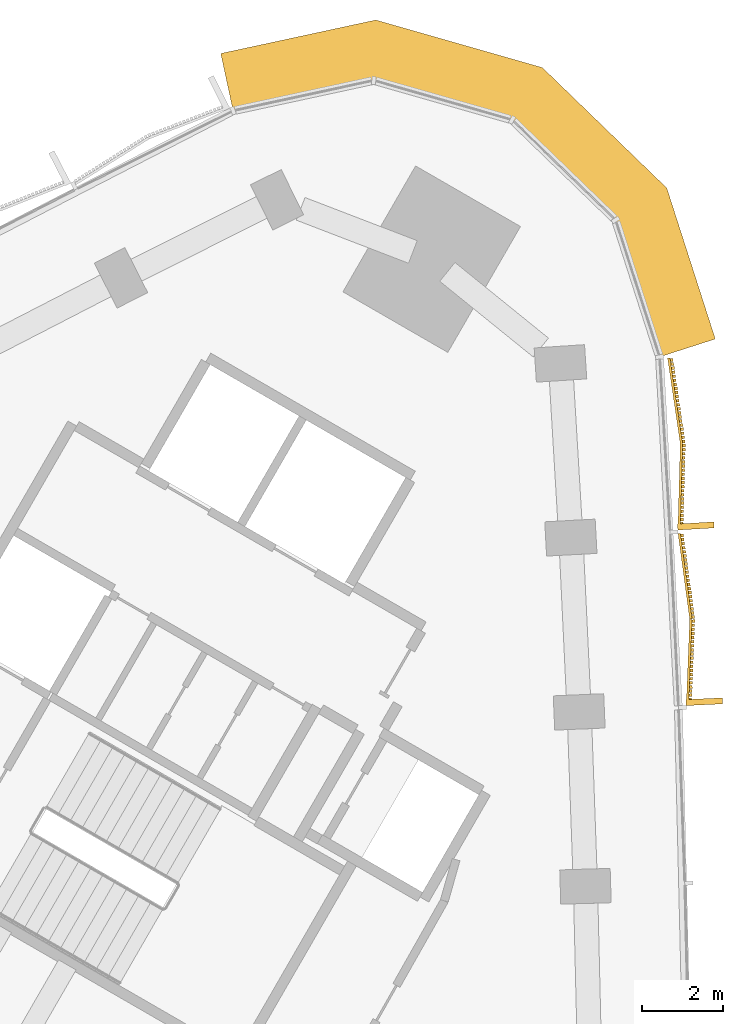
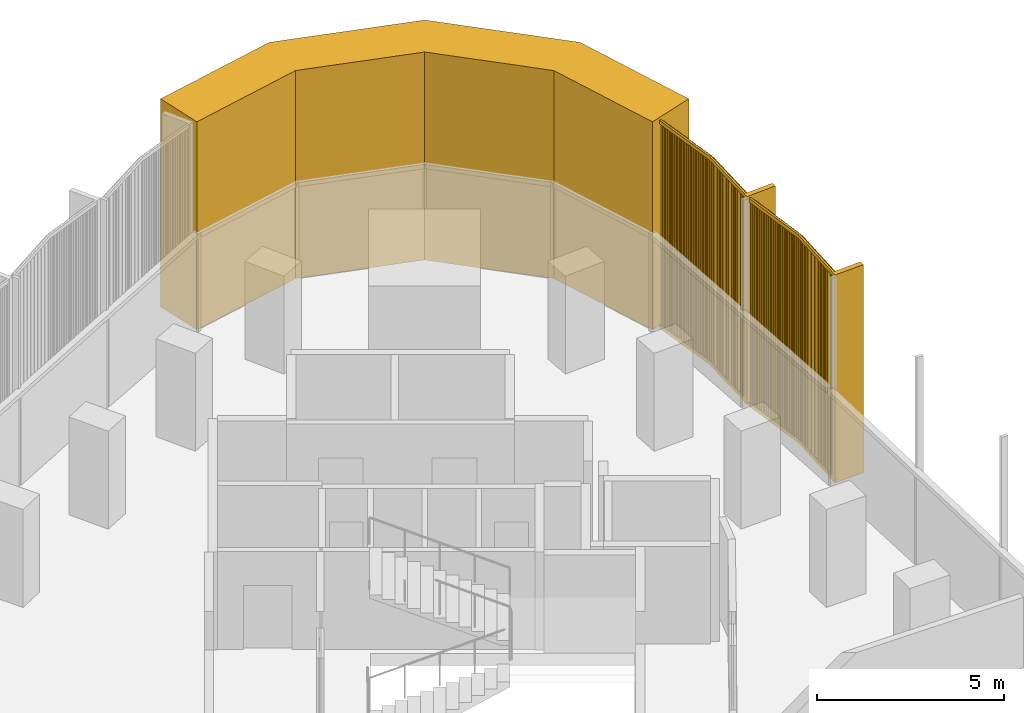
# One storey, part 14 of 14: 3 coverings.
"""IFC4 building model written with IfcOpenShell, lengths in metres."""

from ifc_helpers import new_model, si_unit, direction, frame, frame_2d, origin, place, context, subcontext, project, spatial, polyline, rectangle, outline, extrude, source, transform, mapped, material, layer, layer_set, type_object, element, save


model = new_model("IFC4")

# Units and contexts
model_context = context("Model", 3, precision=1e-05, world=origin(), true_north=direction((0.0, 1.0)))
body_context = subcontext(model_context, "Body", "Model", "MODEL_VIEW")
ifc_project = project(units=[si_unit("LENGTHUNIT", "METRE"), si_unit("AREAUNIT", "SQUARE_METRE"), si_unit("VOLUMEUNIT", "CUBIC_METRE"), si_unit("PLANEANGLEUNIT", "RADIAN"), si_unit("MASSUNIT", "GRAM", prefix="KILO")], contexts=[model_context])

# Site, building, storey
site_placement = place(None, origin())
site = spatial("IfcSite", under=ifc_project, at=site_placement, CompositionType="ELEMENT")
building_placement = place(site_placement, origin())
building = spatial("IfcBuilding", under=site, at=building_placement, Name="Tamra Quay Hotel Tower", CompositionType="ELEMENT")
storey_placement = place(building_placement, frame((0.0, 0.0, 139.60009765625)))
storey = spatial("IfcBuildingStorey", under=building, at=storey_placement, Name="L34", CompositionType="ELEMENT", Elevation=139.60009765625)

# Coverings
ifc_material_1 = material(Name="Precast concrete M60 terracotta-coloured", Category="masonry")
ifc_layer = layer(ifc_material_1, 1.449951171875)
ifc_layer_set = layer_set([ifc_layer], Name="CORNER PIER PANEL")
covering_type_1 = type_object("IfcCoveringType", Name="CORNER PIER PANEL", PredefinedType="CLADDING", material=ifc_layer_set)
covering_placement = place(storey_placement, origin())
element("IfcCovering", 1, at=covering_placement, inside=storey, type_object=covering_type_1, Name="Corner pier L34.east", PredefinedType="CLADDING", context=body_context, shape_type="SweptSolid", body=[
    extrude(outline(polyline([(20.852294921875, 23.918212890625), (22.232666015625, 24.36181640625), (21.031005859375, 28.1015625), (17.947509765625, 31.085693359375), (13.821044921875, 32.26416015625), (9.981689453125, 31.43505859375), (10.28759765625, 30.017578125), (13.772216796875, 30.770263671875), (17.199951171875, 29.791259765625), (19.76171875, 27.31201171875), (20.852294921875, 23.918212890625)])), origin(), (0.0, 0.0, 1.0), 6.7998046875),
])
ifc_material_2 = material(Name="Terracotta baguette extruded", Category="masonry")
covering_type_2 = type_object("IfcCoveringType", Name="BAGUETTE SCREEN E-V H6800", PredefinedType="USERDEFINED", material=ifc_material_2)
shared_shape = source(origin(), body_context, "Body", "SweptSolid", [
    extrude(rectangle(XDim=2.140625, YDim=0.06005859375, at=frame_2d((1.0703125, 0.030029296875))), frame((-2.1376953125, -0.057861328125, -0.1201171875), z_axis=(0.0, 0.0, 1.0), x_axis=(0.996194698092, -0.087155742748, 0.0)), (0.0, 0.0, 1.0), 0.1201171875),
    extrude(rectangle(XDim=2.140625, YDim=0.06005859375, at=frame_2d((1.0703125, 0.030029296875))), frame((-2.1376953125, -0.057861328125, -6.800048828125), z_axis=(0.0, 0.0, 1.0), x_axis=(0.996194698092, -0.087155742748, 0.0)), (0.0, 0.0, 1.0), 0.1201171875),
    extrude(rectangle(XDim=0.070068359375, YDim=0.10009765625, at=frame_2d((0.03515625, 0.050048828125))), frame((-2.11669921875, -0.13232421875, -6.739990234375)), (0.0, 0.0, 1.0), 6.679931640625),
    extrude(rectangle(XDim=0.070068359375, YDim=0.10009765625, at=frame_2d((0.03515625, 0.050048828125))), frame((-2.01513671875, -0.141357421875, -6.739990234375)), (0.0, 0.0, 1.0), 6.679931640625),
    extrude(rectangle(XDim=0.070068359375, YDim=0.10009765625, at=frame_2d((0.03515625, 0.050048828125))), frame((-1.91357421875, -0.150146484375, -6.739990234375)), (0.0, 0.0, 1.0), 6.679931640625),
    extrude(rectangle(XDim=0.070068359375, YDim=0.10009765625, at=frame_2d((0.03515625, 0.050048828125))), frame((-1.81201171875, -0.1591796875, -6.739990234375)), (0.0, 0.0, 1.0), 6.679931640625),
    extrude(rectangle(XDim=0.070068359375, YDim=0.10009765625, at=frame_2d((0.03515625, 0.050048828125))), frame((-1.71044921875, -0.16796875, -6.739990234375)), (0.0, 0.0, 1.0), 6.679931640625),
    extrude(rectangle(XDim=0.070068359375, YDim=0.10009765625, at=frame_2d((0.03515625, 0.050048828125))), frame((-1.60888671875, -0.1767578125, -6.739990234375)), (0.0, 0.0, 1.0), 6.679931640625),
    extrude(rectangle(XDim=0.070068359375, YDim=0.10009765625, at=frame_2d((0.03515625, 0.050048828125))), frame((-1.50732421875, -0.185791015625, -6.739990234375)), (0.0, 0.0, 1.0), 6.679931640625),
    extrude(rectangle(XDim=0.070068359375, YDim=0.10009765625, at=frame_2d((0.03515625, 0.050048828125))), frame((-1.406005859375, -0.194580078125, -6.739990234375)), (0.0, 0.0, 1.0), 6.679931640625),
    extrude(rectangle(XDim=0.070068359375, YDim=0.10009765625, at=frame_2d((0.03515625, 0.050048828125))), frame((-1.304443359375, -0.20361328125, -6.739990234375)), (0.0, 0.0, 1.0), 6.679931640625),
    extrude(rectangle(XDim=0.070068359375, YDim=0.10009765625, at=frame_2d((0.03515625, 0.050048828125))), frame((-1.202880859375, -0.21240234375, -6.739990234375)), (0.0, 0.0, 1.0), 6.679931640625),
    extrude(rectangle(XDim=0.070068359375, YDim=0.10009765625, at=frame_2d((0.03515625, 0.050048828125))), frame((-1.101318359375, -0.22119140625, -6.739990234375)), (0.0, 0.0, 1.0), 6.679931640625),
    extrude(rectangle(XDim=0.070068359375, YDim=0.10009765625, at=frame_2d((0.03515625, 0.050048828125))), frame((-0.999755859375, -0.230224609375, -6.739990234375)), (0.0, 0.0, 1.0), 6.679931640625),
    extrude(rectangle(XDim=0.070068359375, YDim=0.10009765625, at=frame_2d((0.03515625, 0.050048828125))), frame((-0.898193359375, -0.239013671875, -6.739990234375)), (0.0, 0.0, 1.0), 6.679931640625),
    extrude(rectangle(XDim=0.070068359375, YDim=0.10009765625, at=frame_2d((0.03515625, 0.050048828125))), frame((-0.796630859375, -0.248046875, -6.739990234375)), (0.0, 0.0, 1.0), 6.679931640625),
    extrude(rectangle(XDim=0.070068359375, YDim=0.10009765625, at=frame_2d((0.03515625, 0.050048828125))), frame((-0.695068359375, -0.2568359375, -6.739990234375)), (0.0, 0.0, 1.0), 6.679931640625),
    extrude(rectangle(XDim=0.070068359375, YDim=0.10009765625, at=frame_2d((0.03515625, 0.050048828125))), frame((-0.593505859375, -0.265625, -6.739990234375)), (0.0, 0.0, 1.0), 6.679931640625),
    extrude(rectangle(XDim=0.070068359375, YDim=0.10009765625, at=frame_2d((0.03515625, 0.050048828125))), frame((-0.491943359375, -0.274658203125, -6.739990234375)), (0.0, 0.0, 1.0), 6.679931640625),
    extrude(rectangle(XDim=0.070068359375, YDim=0.10009765625, at=frame_2d((0.03515625, 0.050048828125))), frame((-0.390380859375, -0.283447265625, -6.739990234375)), (0.0, 0.0, 1.0), 6.679931640625),
    extrude(rectangle(XDim=0.070068359375, YDim=0.10009765625, at=frame_2d((0.03515625, 0.050048828125))), frame((-0.288818359375, -0.29248046875, -6.739990234375)), (0.0, 0.0, 1.0), 6.679931640625),
    extrude(rectangle(XDim=0.070068359375, YDim=0.10009765625, at=frame_2d((0.03515625, 0.050048828125))), frame((-0.187255859375, -0.30126953125, -6.739990234375)), (0.0, 0.0, 1.0), 6.679931640625),
    extrude(rectangle(XDim=0.070068359375, YDim=0.10009765625, at=frame_2d((0.03515625, 0.050048828125))), frame((-0.085693359375, -0.31005859375, -6.739990234375)), (0.0, 0.0, 1.0), 6.679931640625),
    extrude(rectangle(XDim=2.140625, YDim=0.06005859375, at=frame_2d((1.0703125, 0.030029296875))), frame((0.005126953125, -0.244384765625, -0.1201171875), z_axis=(0.0, 0.0, 1.0), x_axis=(0.996194698092, 0.087155742748, 0.0)), (0.0, 0.0, 1.0), 0.1201171875),
    extrude(rectangle(XDim=2.140625, YDim=0.06005859375, at=frame_2d((1.0703125, 0.030029296875))), frame((0.005126953125, -0.244384765625, -6.800048828125), z_axis=(0.0, 0.0, 1.0), x_axis=(0.996194698092, 0.087155742748, 0.0)), (0.0, 0.0, 1.0), 0.1201171875),
    extrude(rectangle(XDim=0.070068359375, YDim=0.10009765625, at=frame_2d((0.03515625, 0.050048828125))), frame((0.015869140625, -0.31005859375, -6.739990234375)), (0.0, 0.0, 1.0), 6.679931640625),
    extrude(rectangle(XDim=0.070068359375, YDim=0.10009765625, at=frame_2d((0.03515625, 0.050048828125))), frame((0.117431640625, -0.30126953125, -6.739990234375)), (0.0, 0.0, 1.0), 6.679931640625),
    extrude(rectangle(XDim=0.070068359375, YDim=0.10009765625, at=frame_2d((0.03515625, 0.050048828125))), frame((0.21875, -0.29248046875, -6.739990234375)), (0.0, 0.0, 1.0), 6.679931640625),
    extrude(rectangle(XDim=0.070068359375, YDim=0.10009765625, at=frame_2d((0.03515625, 0.050048828125))), frame((0.3203125, -0.283447265625, -6.739990234375)), (0.0, 0.0, 1.0), 6.679931640625),
    extrude(rectangle(XDim=0.070068359375, YDim=0.10009765625, at=frame_2d((0.03515625, 0.050048828125))), frame((0.421875, -0.274658203125, -6.739990234375)), (0.0, 0.0, 1.0), 6.679931640625),
    extrude(rectangle(XDim=0.070068359375, YDim=0.10009765625, at=frame_2d((0.03515625, 0.050048828125))), frame((0.5234375, -0.265625, -6.739990234375)), (0.0, 0.0, 1.0), 6.679931640625),
    extrude(rectangle(XDim=0.070068359375, YDim=0.10009765625, at=frame_2d((0.03515625, 0.050048828125))), frame((0.625, -0.2568359375, -6.739990234375)), (0.0, 0.0, 1.0), 6.679931640625),
    extrude(rectangle(XDim=0.070068359375, YDim=0.10009765625, at=frame_2d((0.03515625, 0.050048828125))), frame((0.7265625, -0.248046875, -6.739990234375)), (0.0, 0.0, 1.0), 6.679931640625),
    extrude(rectangle(XDim=0.070068359375, YDim=0.10009765625, at=frame_2d((0.03515625, 0.050048828125))), frame((0.828125, -0.239013671875, -6.739990234375)), (0.0, 0.0, 1.0), 6.679931640625),
    extrude(rectangle(XDim=0.070068359375, YDim=0.10009765625, at=frame_2d((0.03515625, 0.050048828125))), frame((0.9296875, -0.230224609375, -6.739990234375)), (0.0, 0.0, 1.0), 6.679931640625),
    extrude(rectangle(XDim=0.070068359375, YDim=0.10009765625, at=frame_2d((0.03515625, 0.050048828125))), frame((1.03125, -0.22119140625, -6.739990234375)), (0.0, 0.0, 1.0), 6.679931640625),
    extrude(rectangle(XDim=0.070068359375, YDim=0.10009765625, at=frame_2d((0.03515625, 0.050048828125))), frame((1.1328125, -0.21240234375, -6.739990234375)), (0.0, 0.0, 1.0), 6.679931640625),
    extrude(rectangle(XDim=0.070068359375, YDim=0.10009765625, at=frame_2d((0.03515625, 0.050048828125))), frame((1.234375, -0.20361328125, -6.739990234375)), (0.0, 0.0, 1.0), 6.679931640625),
    extrude(rectangle(XDim=0.070068359375, YDim=0.10009765625, at=frame_2d((0.03515625, 0.050048828125))), frame((1.3359375, -0.194580078125, -6.739990234375)), (0.0, 0.0, 1.0), 6.679931640625),
    extrude(rectangle(XDim=0.070068359375, YDim=0.10009765625, at=frame_2d((0.03515625, 0.050048828125))), frame((1.4375, -0.185791015625, -6.739990234375)), (0.0, 0.0, 1.0), 6.679931640625),
    extrude(rectangle(XDim=0.070068359375, YDim=0.10009765625, at=frame_2d((0.03515625, 0.050048828125))), frame((1.5390625, -0.1767578125, -6.739990234375)), (0.0, 0.0, 1.0), 6.679931640625),
    extrude(rectangle(XDim=0.070068359375, YDim=0.10009765625, at=frame_2d((0.03515625, 0.050048828125))), frame((1.640625, -0.16796875, -6.739990234375)), (0.0, 0.0, 1.0), 6.679931640625),
    extrude(rectangle(XDim=0.070068359375, YDim=0.10009765625, at=frame_2d((0.03515625, 0.050048828125))), frame((1.7421875, -0.1591796875, -6.739990234375)), (0.0, 0.0, 1.0), 6.679931640625),
    extrude(rectangle(XDim=0.070068359375, YDim=0.10009765625, at=frame_2d((0.03515625, 0.050048828125))), frame((1.84375, -0.150146484375, -6.739990234375)), (0.0, 0.0, 1.0), 6.679931640625),
    extrude(rectangle(XDim=0.070068359375, YDim=0.10009765625, at=frame_2d((0.03515625, 0.050048828125))), frame((1.945068359375, -0.141357421875, -6.739990234375)), (0.0, 0.0, 1.0), 6.679931640625),
    extrude(rectangle(XDim=0.070068359375, YDim=0.10009765625, at=frame_2d((0.03515625, 0.050048828125))), frame((2.046630859375, -0.13232421875, -6.739990234375)), (0.0, 0.0, 1.0), 6.679931640625),
    extrude(rectangle(XDim=0.14990234375, YDim=0.902099609375, at=frame_2d((0.074951171875, 0.451171875))), frame((-2.132568359375, -0.89990234375, -6.800048828125)), (0.0, 0.0, 1.0), 6.800048828125),
])
for number, where, z_axis, x_axis, name in (
    (2, (21.413330078125, 17.41064453125, 6.7998046875), (0.0, 0.0, 1.0), (-0.047747439326, 0.998859440581, 0.0), "Baguette screen L34.E.f09"),
    (3, (21.1796875, 21.758056640625, 6.7998046875), (0.0, 0.0, 1.0), (-0.059641629271, 0.998219853568, 0.0), "Baguette screen L34.E.f10"),
):
    element("IfcCovering", number, at=place(storey_placement, frame(where, z_axis=z_axis, x_axis=x_axis)), inside=storey, type_object=covering_type_2, Name=name, ObjectType="BAGUETTE SCREEN", PredefinedType="USERDEFINED", context=body_context, shape_type="MappedRepresentation", body=[
        mapped(shared_shape, transform((0.0, 0.0, 0.0), scale=1.0)),
    ])

save(model, "model.ifc")
